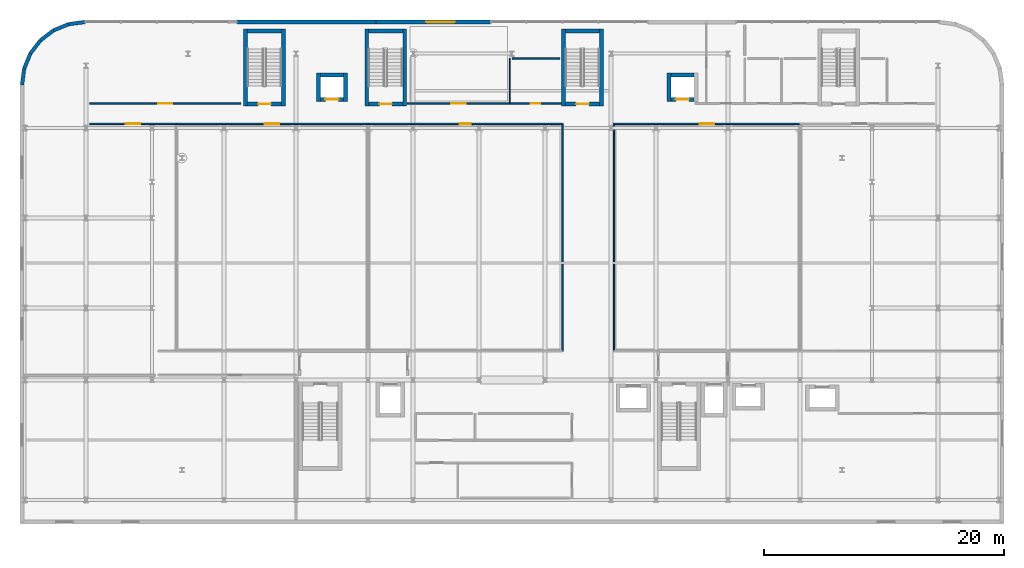
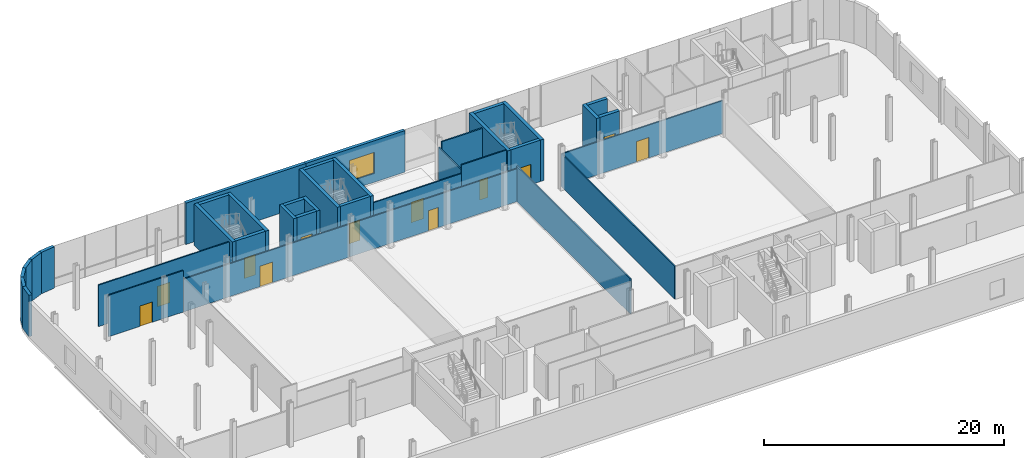
# One storey, part 18 of 25: 38 walls, 12 doors, 1 window, 13 openings.
"""IFC4 building model written with IfcOpenShell, lengths in metres."""

import ifcopenshell
import ifcopenshell.guid

model = None  # the IFC model being written
_history = None  # IfcOwnerHistory: only IFC2X3 demands one
_inside = {}  # id of a spatial element -> (the spatial element, [elements in it])
_under = {}  # id of a project, library or spatial element -> (it, [spatial elements below it])
_declared = {}  # id of a project -> (the project, [libraries it declares])
_typed = {}  # id of a type object -> (the type object, [elements of that type])
_made_of = {}  # id of a material, layer set ... -> (it, [elements and type objects made of it])


def new_model(schema):
    """Start an empty IFC model of exactly this schema.

    Asked for "IFC4X3", IfcOpenShell would pick the latest addendum, in which some entities
    have other attributes; the version numbers below select the first issue.
    IFC2X3 requires an IfcOwnerHistory on every rooted entity: one is made here for all.
    """
    global model, _history
    if schema == "IFC4X3":
        model = ifcopenshell.file(schema_version=(4, 3, 0, 0))
    else:
        model = ifcopenshell.file(schema=schema)
    _inside.clear()
    _under.clear()
    _declared.clear()
    _typed.clear()
    _made_of.clear()
    _history = None
    if model.schema == "IFC2X3":
        org = make("IfcOrganization", Name="unknown")
        user = make(
            "IfcPersonAndOrganization",
            ThePerson=make("IfcPerson", FamilyName="unknown"),
            TheOrganization=org,
        )
        app = make(
            "IfcApplication",
            ApplicationDeveloper=org,
            Version="unknown",
            ApplicationFullName="unknown",
            ApplicationIdentifier="unknown",
        )
        _history = make(
            "IfcOwnerHistory",
            OwningUser=user,
            OwningApplication=app,
            ChangeAction="ADDED",
            CreationDate=0,
        )
    return model


def make(cls, **values):
    """One entity of the class cls with the attributes given. An attribute that is None is left unset."""
    return model.create_entity(
        cls, **{name: value for name, value in values.items() if value is not None}
    )


def rooted(cls, **values):
    """An entity with a GlobalId (a new one), such as an element, a storey or a relation."""
    return make(cls, GlobalId=ifcopenshell.guid.new(), OwnerHistory=_history, **values)


def si_unit(unit_type, name, prefix=None):
    """IfcSIUnit, for example si_unit("LENGTHUNIT", "METRE", prefix="MILLI")."""
    return make("IfcSIUnit", UnitType=unit_type, Prefix=prefix, Name=name)


def assignment(units):
    """IfcUnitAssignment: the units of a project."""
    return None if units is None else make("IfcUnitAssignment", Units=units)


def point(xyz):
    """IfcCartesianPoint."""
    return None if xyz is None else make("IfcCartesianPoint", Coordinates=xyz)


def direction(xyz):
    """IfcDirection."""
    return None if xyz is None else make("IfcDirection", DirectionRatios=xyz)


def frame(location, z_axis=None, x_axis=None):
    """IfcAxis2Placement3D, a coordinate frame: its origin and axes. An axis left out is left unset."""
    return make(
        "IfcAxis2Placement3D",
        Location=point(location),
        Axis=direction(z_axis),
        RefDirection=direction(x_axis),
    )


def frame_2d(location, x_axis=None):
    """IfcAxis2Placement2D, a coordinate frame in the plane: its origin and x axis."""
    return make(
        "IfcAxis2Placement2D", Location=point(location), RefDirection=direction(x_axis)
    )


def origin():
    """The frame at (0, 0, 0) with its axes left unset."""
    return frame((0.0, 0.0, 0.0))


def place(relative_to, where):
    """IfcLocalPlacement: puts the frame where relative to a parent placement (None: the world)."""
    return make(
        "IfcLocalPlacement", PlacementRelTo=relative_to, RelativePlacement=where
    )


def context(
    kind, dimensions, precision=None, world=None, true_north=None, identifier=None
):
    """IfcGeometricRepresentationContext, for example the 3D "Model" context."""
    return make(
        "IfcGeometricRepresentationContext",
        ContextIdentifier=identifier,
        ContextType=kind,
        CoordinateSpaceDimension=dimensions,
        Precision=precision,
        WorldCoordinateSystem=world,
        TrueNorth=true_north,
    )


def subcontext(parent, identifier, kind, view, scale=None):
    """IfcGeometricRepresentationSubContext, for example "Body" below "Model"."""
    return make(
        "IfcGeometricRepresentationSubContext",
        ContextIdentifier=identifier,
        ContextType=kind,
        ParentContext=parent,
        TargetScale=scale,
        TargetView=view,
    )


def project(units=None, contexts=None):
    """IfcProject with its units and contexts."""
    return rooted(
        "IfcProject",
        Name="project",
        RepresentationContexts=contexts,
        UnitsInContext=assignment(units),
    )


def spatial(cls, under=None, at=None, **own):
    """A site, building, storey or space (cls), placed at a placement, below another one or the project."""
    s = rooted(cls, ObjectPlacement=at, **own)
    if under is not None:
        _under.setdefault(under.id(), (under, []))[1].append(s)
    return s


def profile(cls, at=None, kind="AREA", **sizes):
    """A parametric profile (cls). Its sizes go by their IFC names, for example OverallWidth=200.0."""
    return make(cls, ProfileType=kind, Position=at, **sizes)


def rectangle(**sizes):
    """IfcRectangleProfileDef."""
    return profile("IfcRectangleProfileDef", **sizes)


def extrude(swept, where, along, depth):
    """IfcExtrudedAreaSolid: the profile swept, set in the frame where, extruded along a direction by depth."""
    return make(
        "IfcExtrudedAreaSolid",
        SweptArea=swept,
        Position=where,
        ExtrudedDirection=direction(along),
        Depth=depth,
    )


def shape(context_of_items, identifier, shape_type, items):
    """IfcShapeRepresentation: the items that make up one representation, for example the "Body"."""
    return make(
        "IfcShapeRepresentation",
        ContextOfItems=context_of_items,
        RepresentationIdentifier=identifier,
        RepresentationType=shape_type,
        Items=items,
    )


def material(Name=None, Category=None):
    """IfcMaterial."""
    return make("IfcMaterial", Name=Name, Category=Category)


def layer(
    of_material, thickness, ventilated=None, Name=None, Category=None, Priority=None
):
    """IfcMaterialLayer: one layer of a wall or slab, of a material (None: an air gap)."""
    return make(
        "IfcMaterialLayer",
        Material=of_material,
        LayerThickness=thickness,
        IsVentilated=ventilated,
        Name=Name,
        Category=Category,
        Priority=Priority,
    )


def layer_set(layers, Name=None):
    """IfcMaterialLayerSet."""
    return make("IfcMaterialLayerSet", MaterialLayers=layers, LayerSetName=Name)


def made_of(thing, what):
    """Note that an element or type object is made of a material, layer set ...; save() writes the relation."""
    if what is not None:
        _made_of.setdefault(what.id(), (what, []))[1].append(thing)
    return thing


def type_object(cls, material=None, **own):
    """A type object (cls), such as IfcWallType, which elements share."""
    return made_of(rooted(cls, **own), material)


def element(
    cls,
    number,
    at=None,
    inside=None,
    cuts=None,
    type_object=None,
    material=None,
    context=None,
    identifier="Body",
    shape_type=None,
    held_by="IfcProductDefinitionShape",
    body=None,
    shapes=None,
    **own,
):
    """One element of the class cls, such as IfcWall. Its Tag is "e" and its number.

    at: its placement. inside: the storey or other place that contains it. cuts: it is an
    opening in that element (IfcRelVoidsElement). A single representation is given by context,
    identifier, shape_type and body (its items); several are given by shapes. held_by: the class
    of the entity that holds the representations. save() writes the other relations.
    """
    e = rooted(cls, Tag="e%d" % number, ObjectPlacement=at, **own)
    if body is not None:
        shapes = [shape(context, identifier, shape_type, body)]
    if shapes is not None:
        e.Representation = make(held_by, Representations=shapes)
    if inside is not None:
        _inside.setdefault(inside.id(), (inside, []))[1].append(e)
    if cuts is not None:
        rooted(
            "IfcRelVoidsElement", RelatingBuildingElement=cuts, RelatedOpeningElement=e
        )
    if type_object is not None:
        _typed.setdefault(type_object.id(), (type_object, []))[1].append(e)
    return made_of(e, material)


def fill(opening, filler):
    """IfcRelFillsElement: the door or window that sits in an opening."""
    return rooted(
        "IfcRelFillsElement",
        RelatingOpeningElement=opening,
        RelatedBuildingElement=filler,
    )


def aggregate(whole, parts):
    """IfcRelAggregates: a whole, such as a stair, and the parts it consists of."""
    return rooted("IfcRelAggregates", RelatingObject=whole, RelatedObjects=parts)


def save(model, path):
    """Write the relations noted so far, then the file.

    IfcRelAggregates (storeys below a building ...), IfcRelContainedInSpatialStructure (elements
    in a storey), IfcRelDefinesByType, IfcRelAssociatesMaterial and IfcRelDeclares: one each for
    every whole, place, type object, material and project.
    """
    for whole, parts in _under.values():
        aggregate(whole, parts)
    for where, things in _inside.values():
        rooted(
            "IfcRelContainedInSpatialStructure",
            RelatedElements=things,
            RelatingStructure=where,
        )
    for kind, things in _typed.values():
        rooted("IfcRelDefinesByType", RelatedObjects=things, RelatingType=kind)
    for what, things in _made_of.values():
        rooted("IfcRelAssociatesMaterial", RelatedObjects=things, RelatingMaterial=what)
    for by, libraries in _declared.values():
        rooted("IfcRelDeclares", RelatingContext=by, RelatedDefinitions=libraries)
    model.write(path)


model = new_model("IFC4")

# Units and contexts
model_context = context("Model", 3, precision=1e-05, world=origin(), true_north=direction((0.0, 1.0)))
body_context = subcontext(model_context, "Body", "Model", "MODEL_VIEW")
ifc_project = project(units=[si_unit("LENGTHUNIT", "METRE"), si_unit("AREAUNIT", "SQUARE_METRE"), si_unit("VOLUMEUNIT", "CUBIC_METRE"), si_unit("PLANEANGLEUNIT", "RADIAN"), si_unit("MASSUNIT", "GRAM", prefix="KILO")], contexts=[model_context])

# Site, building, storey
site_placement = place(None, origin())
site = spatial("IfcSite", under=ifc_project, at=site_placement, CompositionType="ELEMENT")
building_placement = place(site_placement, origin())
building = spatial("IfcBuilding", under=site, at=building_placement, Name="Brevholm Reach", CompositionType="ELEMENT")
storey_placement = place(building_placement, frame((0.0, 0.0, 13.5)))
storey = spatial("IfcBuildingStorey", under=building, at=storey_placement, Name="L03", CompositionType="ELEMENT", Elevation=13.5)

# Walls
ifc_material_1 = material(Name="Concrete C60/75", Category="concrete")
ifc_layer_1 = layer(ifc_material_1, 0.320068359375)
ifc_layer_set_1 = layer_set([ifc_layer_1], Name="Concrete C60/75")
wall_type_1 = type_object("IfcWallType", Name="WAL-COR-320", PredefinedType="SHEAR", material=ifc_layer_set_1)
for number, where, z_axis, x_axis, name in (
    (1, (7.7900390625, 32.830078125, 0.0), (0.0, 0.0, 1.0), (0.0, 1.0, 0.0), "L03 Escape Stair ST-S1 Core Wall W"),
    (2, (10.9599609375, 32.830078125, 0.0), (0.0, 0.0, 1.0), (0.0, 1.0, 0.0), "L03 Escape Stair ST-S1 Core Wall E"),
):
    element("IfcWall", number, at=place(storey_placement, frame(where, z_axis=z_axis, x_axis=x_axis)), inside=storey, type_object=wall_type_1, Name=name, PredefinedType="SHEAR", context=body_context, shape_type="SweptSolid", body=[
        extrude(rectangle(XDim=6.419921875, YDim=0.320068359375, at=frame_2d((3.2099609375, 0.0))), origin(), (0.0, 0.0, 1.0), 4.219970703125),
    ])

# Wall, opening, door
wall_1_placement = place(storey_placement, frame((7.949951171875, 32.989990234375, 0.0), z_axis=(0.0, 0.0, 1.0), x_axis=(1.0, 0.0, 0.0)))
wall_1 = element("IfcWall", 3, at=wall_1_placement, inside=storey, type_object=wall_type_1, Name="L03 Escape Stair ST-S1 Core Wall S", PredefinedType="SHEAR", context=body_context, shape_type="SweptSolid", body=[
    extrude(rectangle(XDim=2.85009765625, YDim=0.320068359375, at=frame_2d((1.425048828125, 0.0))), origin(), (0.0, 0.0, 1.0), 4.219970703125),
])
opening_1_placement = place(wall_1_placement, frame((0.89990234375, 0.0, 0.0)))
opening_1 = element("IfcOpeningElement", 4, at=opening_1_placement, cuts=wall_1, Name="Opening SD-ST-S1", PredefinedType="OPENING", context=body_context, shape_type="SweptSolid", body=[
    extrude(rectangle(XDim=1.050048828125, YDim=2.06005859375, at=frame_2d((0.52490234375, 1.030029296875))), frame((0.0, 0.169921875, 0.0), z_axis=(0.0, -1.0, 0.0), x_axis=(1.0, 0.0, 0.0)), (0.0, 0.0, 1.0), 0.340087890625),
])
ifc_material_2 = material(Name="Hardwood-Lipped Steel-Core Fire and Smoke Door", Category="steel")
door_type_1 = type_object("IfcDoorType", Name="DOR-INT-FD60S", OperationType="NOTDEFINED", PredefinedType="DOOR", material=ifc_material_2)
door_1_placement = place(opening_1_placement, origin())
door_1 = element("IfcDoor", 5, at=door_1_placement, inside=storey, type_object=door_type_1, Name="L03 Protected Stair ST-S1 Lobby Door", OperationType="SINGLE_SWING_RIGHT", OverallHeight=2.06005859375, OverallWidth=1.050048828125, PredefinedType="DOOR", context=body_context, shape_type="SweptSolid", body=[
    extrude(rectangle(XDim=1.050048828125, YDim=2.06005859375, at=frame_2d((0.52490234375, 1.030029296875))), frame((0.0, 0.02490234375, 0.0), z_axis=(0.0, -1.0, 0.0), x_axis=(1.0, 0.0, 0.0)), (0.0, 0.0, 1.0), 0.050048828125),
])
fill(opening_1, door_1)

# Walls
wall_2_placement = place(storey_placement, frame((10.800048828125, 39.090087890625, 0.0), z_axis=(0.0, 0.0, 1.0), x_axis=(-1.0, 0.0, 0.0)))
element("IfcWall", 6, at=wall_2_placement, inside=storey, type_object=wall_type_1, Name="L03 Escape Stair ST-S1 Core Wall N", PredefinedType="SHEAR", context=body_context, shape_type="SweptSolid", body=[
    extrude(rectangle(XDim=2.85009765625, YDim=0.320068359375, at=frame_2d((1.425048828125, 0.0))), origin(), (0.0, 0.0, 1.0), 4.219970703125),
])
for number, where, z_axis, x_axis, name in (
    (7, (17.889892578125, 32.830078125, 0.0), (0.0, 0.0, 1.0), (0.0, 1.0, 0.0), "L03 Escape Stair ST-S2 Core Wall W"),
    (8, (21.06005859375, 32.830078125, 0.0), (0.0, 0.0, 1.0), (0.0, 1.0, 0.0), "L03 Escape Stair ST-S2 Core Wall E"),
):
    element("IfcWall", number, at=place(storey_placement, frame(where, z_axis=z_axis, x_axis=x_axis)), inside=storey, type_object=wall_type_1, Name=name, PredefinedType="SHEAR", context=body_context, shape_type="SweptSolid", body=[
        extrude(rectangle(XDim=6.419921875, YDim=0.320068359375, at=frame_2d((3.2099609375, 0.0))), origin(), (0.0, 0.0, 1.0), 4.219970703125),
    ])

# Wall, opening, door
wall_3_placement = place(storey_placement, frame((18.050048828125, 32.989990234375, 0.0), z_axis=(0.0, 0.0, 1.0), x_axis=(1.0, 0.0, 0.0)))
wall_3 = element("IfcWall", 9, at=wall_3_placement, inside=storey, type_object=wall_type_1, Name="L03 Escape Stair ST-S2 Core Wall S", PredefinedType="SHEAR", context=body_context, shape_type="SweptSolid", body=[
    extrude(rectangle(XDim=2.849853515625, YDim=0.320068359375, at=frame_2d((1.4248046875, 0.0))), origin(), (0.0, 0.0, 1.0), 4.219970703125),
])
opening_2_placement = place(wall_3_placement, frame((0.89990234375, 0.0, 0.0)))
opening_2 = element("IfcOpeningElement", 10, at=opening_2_placement, cuts=wall_3, Name="Opening SD-ST-S2", PredefinedType="OPENING", context=body_context, shape_type="SweptSolid", body=[
    extrude(rectangle(XDim=1.050048828125, YDim=2.06005859375, at=frame_2d((0.52490234375, 1.030029296875))), frame((0.0, 0.169921875, 0.0), z_axis=(0.0, -1.0, 0.0), x_axis=(1.0, 0.0, 0.0)), (0.0, 0.0, 1.0), 0.340087890625),
])
door_2_placement = place(opening_2_placement, origin())
door_2 = element("IfcDoor", 11, at=door_2_placement, inside=storey, type_object=door_type_1, Name="L03 Protected Stair ST-S2 Lobby Door", OperationType="SINGLE_SWING_RIGHT", OverallHeight=2.06005859375, OverallWidth=1.050048828125, PredefinedType="DOOR", context=body_context, shape_type="SweptSolid", body=[
    extrude(rectangle(XDim=1.050048828125, YDim=2.06005859375, at=frame_2d((0.52490234375, 1.030029296875))), frame((0.0, 0.02490234375, 0.0), z_axis=(0.0, -1.0, 0.0), x_axis=(1.0, 0.0, 0.0)), (0.0, 0.0, 1.0), 0.050048828125),
])
fill(opening_2, door_2)

# Walls
wall_4_placement = place(storey_placement, frame((20.89990234375, 39.090087890625, 0.0), z_axis=(0.0, 0.0, 1.0), x_axis=(-1.0, 0.0, 0.0)))
element("IfcWall", 12, at=wall_4_placement, inside=storey, type_object=wall_type_1, Name="L03 Escape Stair ST-S2 Core Wall N", PredefinedType="SHEAR", context=body_context, shape_type="SweptSolid", body=[
    extrude(rectangle(XDim=2.849853515625, YDim=0.320068359375, at=frame_2d((1.4248046875, 0.0))), origin(), (0.0, 0.0, 1.0), 4.219970703125),
])
for number, where, z_axis, x_axis, name in (
    (13, (34.2900390625, 32.830078125, 0.0), (0.0, 0.0, 1.0), (0.0, 1.0, 0.0), "L03 Escape Stair ST-S3 Core Wall W"),
    (14, (37.4599609375, 32.830078125, 0.0), (0.0, 0.0, 1.0), (0.0, 1.0, 0.0), "L03 Escape Stair ST-S3 Core Wall E"),
):
    element("IfcWall", number, at=place(storey_placement, frame(where, z_axis=z_axis, x_axis=x_axis)), inside=storey, type_object=wall_type_1, Name=name, PredefinedType="SHEAR", context=body_context, shape_type="SweptSolid", body=[
        extrude(rectangle(XDim=6.419921875, YDim=0.320068359375, at=frame_2d((3.2099609375, 0.0))), origin(), (0.0, 0.0, 1.0), 4.219970703125),
    ])

# Wall, opening, door
wall_5_placement = place(storey_placement, frame((34.449951171875, 32.989990234375, 0.0), z_axis=(0.0, 0.0, 1.0), x_axis=(1.0, 0.0, 0.0)))
wall_5 = element("IfcWall", 15, at=wall_5_placement, inside=storey, type_object=wall_type_1, Name="L03 Escape Stair ST-S3 Core Wall S", PredefinedType="SHEAR", context=body_context, shape_type="SweptSolid", body=[
    extrude(rectangle(XDim=2.85009765625, YDim=0.320068359375, at=frame_2d((1.425048828125, 0.0))), origin(), (0.0, 0.0, 1.0), 4.219970703125),
])
opening_3_placement = place(wall_5_placement, frame((0.89990234375, 0.0, 0.0)))
opening_3 = element("IfcOpeningElement", 16, at=opening_3_placement, cuts=wall_5, Name="Opening SD-ST-S3", PredefinedType="OPENING", context=body_context, shape_type="SweptSolid", body=[
    extrude(rectangle(XDim=1.050048828125, YDim=2.06005859375, at=frame_2d((0.52490234375, 1.030029296875))), frame((0.0, 0.169921875, 0.0), z_axis=(0.0, -1.0, 0.0), x_axis=(1.0, 0.0, 0.0)), (0.0, 0.0, 1.0), 0.340087890625),
])
door_3_placement = place(opening_3_placement, origin())
door_3 = element("IfcDoor", 17, at=door_3_placement, inside=storey, type_object=door_type_1, Name="L03 Protected Stair ST-S3 Lobby Door", OperationType="SINGLE_SWING_RIGHT", OverallHeight=2.06005859375, OverallWidth=1.050048828125, PredefinedType="DOOR", context=body_context, shape_type="SweptSolid", body=[
    extrude(rectangle(XDim=1.050048828125, YDim=2.06005859375, at=frame_2d((0.52490234375, 1.030029296875))), frame((0.0, 0.02490234375, 0.0), z_axis=(0.0, -1.0, 0.0), x_axis=(1.0, 0.0, 0.0)), (0.0, 0.0, 1.0), 0.050048828125),
])
fill(opening_3, door_3)

# Walls
wall_6_placement = place(storey_placement, frame((37.300048828125, 39.090087890625, 0.0), z_axis=(0.0, 0.0, 1.0), x_axis=(-1.0, 0.0, 0.0)))
element("IfcWall", 18, at=wall_6_placement, inside=storey, type_object=wall_type_1, Name="L03 Escape Stair ST-S3 Core Wall N", PredefinedType="SHEAR", context=body_context, shape_type="SweptSolid", body=[
    extrude(rectangle(XDim=2.85009765625, YDim=0.320068359375, at=frame_2d((1.425048828125, 0.0))), origin(), (0.0, 0.0, 1.0), 4.219970703125),
])
for number, where, z_axis, x_axis, name in (
    (19, (13.8798828125, 33.219970703125, 0.0), (0.0, 0.0, 1.0), (0.0, 1.0, 0.0), "L03 Lift SL-1 Shaft Wall W"),
    (20, (16.1201171875, 33.219970703125, 0.0), (0.0, 0.0, 1.0), (0.0, 1.0, 0.0), "L03 Lift SL-1 Shaft Wall E"),
):
    element("IfcWall", number, at=place(storey_placement, frame(where, z_axis=z_axis, x_axis=x_axis)), inside=storey, type_object=wall_type_1, Name=name, PredefinedType="SHEAR", context=body_context, shape_type="SweptSolid", body=[
        extrude(rectangle(XDim=2.360107421875, YDim=0.320068359375, at=frame_2d((1.18017578125, 0.0))), origin(), (0.0, 0.0, 1.0), 4.219970703125),
    ])

# Wall, opening, door
wall_7_placement = place(storey_placement, frame((14.0400390625, 33.3798828125, 0.0), z_axis=(0.0, 0.0, 1.0), x_axis=(1.0, 0.0, 0.0)))
wall_7 = element("IfcWall", 21, at=wall_7_placement, inside=storey, type_object=wall_type_1, Name="L03 Lift SL-1 Shaft Wall S", PredefinedType="SHEAR", context=body_context, shape_type="SweptSolid", body=[
    extrude(rectangle(XDim=1.919921875, YDim=0.320068359375, at=frame_2d((0.9599609375, 0.0))), origin(), (0.0, 0.0, 1.0), 4.219970703125),
])
opening_4_placement = place(wall_7_placement, frame((0.409912109375, 0.0, 0.0)))
opening_4 = element("IfcOpeningElement", 22, at=opening_4_placement, cuts=wall_7, Name="Opening LD-SL-1", PredefinedType="OPENING", context=body_context, shape_type="SweptSolid", body=[
    extrude(rectangle(XDim=1.10009765625, YDim=2.06005859375, at=frame_2d((0.550048828125, 1.030029296875))), frame((0.0, 0.169921875, 0.0), z_axis=(0.0, -1.0, 0.0), x_axis=(1.0, 0.0, 0.0)), (0.0, 0.0, 1.0), 0.340087890625),
])
ifc_material_3 = material(Name="Brushed Stainless Steel Fire-Rated Sliding Lift Door", Category="steel")
door_type_2 = type_object("IfcDoorType", Name="DOR-LFT-1100", OperationType="NOTDEFINED", PredefinedType="DOOR", material=ifc_material_3)
door_4_placement = place(opening_4_placement, origin())
door_4 = element("IfcDoor", 23, at=door_4_placement, inside=storey, type_object=door_type_2, Name="L03 Lift SL-1 Sliding Landing Door", OperationType="SLIDING_TO_LEFT", OverallHeight=2.06005859375, OverallWidth=1.10009765625, PredefinedType="DOOR", context=body_context, shape_type="SweptSolid", body=[
    extrude(rectangle(XDim=1.10009765625, YDim=2.06005859375, at=frame_2d((0.550048828125, 1.030029296875))), frame((0.0, 0.02490234375, 0.0), z_axis=(0.0, -1.0, 0.0), x_axis=(1.0, 0.0, 0.0)), (0.0, 0.0, 1.0), 0.050048828125),
])
fill(opening_4, door_4)

# Walls
wall_8_placement = place(storey_placement, frame((14.0400390625, 35.419921875, 0.0), z_axis=(0.0, 0.0, 1.0), x_axis=(1.0, 0.0, 0.0)))
element("IfcWall", 24, at=wall_8_placement, inside=storey, type_object=wall_type_1, Name="L03 Lift SL-1 Shaft Wall N", PredefinedType="SHEAR", context=body_context, shape_type="SweptSolid", body=[
    extrude(rectangle(XDim=1.919921875, YDim=0.320068359375, at=frame_2d((0.9599609375, 0.0))), origin(), (0.0, 0.0, 1.0), 4.219970703125),
])
wall_9_placement = place(storey_placement, frame((43.080078125, 33.219970703125, 0.0), z_axis=(0.0, 0.0, 1.0), x_axis=(0.0, 1.0, 0.0)))
element("IfcWall", 25, at=wall_9_placement, inside=storey, type_object=wall_type_1, Name="L03 Lift SL-2 Shaft Wall W", PredefinedType="SHEAR", context=body_context, shape_type="SweptSolid", body=[
    extrude(rectangle(XDim=2.360107421875, YDim=0.320068359375, at=frame_2d((1.18017578125, 0.0))), origin(), (0.0, 0.0, 1.0), 4.219970703125),
])

# Wall, opening, door
wall_10_placement = place(storey_placement, frame((43.239990234375, 33.3798828125, 0.0), z_axis=(0.0, 0.0, 1.0), x_axis=(1.0, 0.0, 0.0)))
wall_10 = element("IfcWall", 26, at=wall_10_placement, inside=storey, type_object=wall_type_1, Name="L03 Lift SL-2 Shaft Wall S", PredefinedType="SHEAR", context=body_context, shape_type="SweptSolid", body=[
    extrude(rectangle(XDim=1.919921875, YDim=0.320068359375, at=frame_2d((0.9599609375, 0.0))), origin(), (0.0, 0.0, 1.0), 4.219970703125),
])
opening_5_placement = place(wall_10_placement, frame((0.409912109375, 0.0, 0.0)))
opening_5 = element("IfcOpeningElement", 27, at=opening_5_placement, cuts=wall_10, Name="Opening LD-SL-2", PredefinedType="OPENING", context=body_context, shape_type="SweptSolid", body=[
    extrude(rectangle(XDim=1.10009765625, YDim=2.06005859375, at=frame_2d((0.550048828125, 1.030029296875))), frame((0.0, 0.169921875, 0.0), z_axis=(0.0, -1.0, 0.0), x_axis=(1.0, 0.0, 0.0)), (0.0, 0.0, 1.0), 0.340087890625),
])
door_5_placement = place(opening_5_placement, origin())
door_5 = element("IfcDoor", 28, at=door_5_placement, inside=storey, type_object=door_type_2, Name="L03 Lift SL-2 Sliding Landing Door", OperationType="SLIDING_TO_RIGHT", OverallHeight=2.06005859375, OverallWidth=1.10009765625, PredefinedType="DOOR", context=body_context, shape_type="SweptSolid", body=[
    extrude(rectangle(XDim=1.10009765625, YDim=2.06005859375, at=frame_2d((0.550048828125, 1.030029296875))), frame((0.0, 0.02490234375, 0.0), z_axis=(0.0, -1.0, 0.0), x_axis=(1.0, 0.0, 0.0)), (0.0, 0.0, 1.0), 0.050048828125),
])
fill(opening_5, door_5)

# Walls
wall_11_placement = place(storey_placement, frame((43.239990234375, 35.419921875, 0.0), z_axis=(0.0, 0.0, 1.0), x_axis=(1.0, 0.0, 0.0)))
element("IfcWall", 29, at=wall_11_placement, inside=storey, type_object=wall_type_1, Name="L03 Lift SL-2 Shaft Wall N", PredefinedType="SHEAR", context=body_context, shape_type="SweptSolid", body=[
    extrude(rectangle(XDim=1.919921875, YDim=0.320068359375, at=frame_2d((0.9599609375, 0.0))), origin(), (0.0, 0.0, 1.0), 4.219970703125),
])
ifc_material_4 = material(Name="Concrete C40/50", Category="concrete")
ifc_layer_2 = layer(ifc_material_4, 0.300048828125)
ifc_layer_set_2 = layer_set([ifc_layer_2], Name="Concrete C40/50")
wall_type_2 = type_object("IfcWallType", Name="WAL-EXT-300", PredefinedType="STANDARD", material=ifc_layer_set_2)
wall_12_placement = place(storey_placement, frame((-10.830078125, 34.60009765625, 0.0), z_axis=(0.0, 0.0, 1.0), x_axis=(0.13054703207, 0.991442117533, 0.0)))
element("IfcWall", 30, at=wall_12_placement, inside=storey, type_object=wall_type_2, Name="L03 Facade Wall WAL-L03-NWP-1", PredefinedType="STANDARD", context=body_context, shape_type="SweptSolid", body=[
    extrude(rectangle(XDim=1.365234375, YDim=0.300048828125, at=frame_2d((0.6826171875, 0.0))), origin(), (0.0, 0.0, 1.0), 4.219970703125),
])
wall_13_placement = place(storey_placement, frame((-10.65185546875, 35.95361328125, 0.0), z_axis=(0.0, 0.0, 1.0), x_axis=(0.382646577594, 0.923894797396, 0.0)))
element("IfcWall", 31, at=wall_13_placement, inside=storey, type_object=wall_type_2, Name="L03 Facade Wall WAL-L03-NWP-2", PredefinedType="STANDARD", context=body_context, shape_type="SweptSolid", body=[
    extrude(rectangle(XDim=1.365478515625, YDim=0.300048828125, at=frame_2d((0.6826171875, 0.0))), origin(), (0.0, 0.0, 1.0), 4.219970703125),
])
for number, where, z_axis, x_axis, name in (
    (32, (-10.12939453125, 37.215087890625, 0.0), (0.0, 0.0, 1.0), (0.6088894473, 0.793255091989, 0.0), "L03 Facade Wall WAL-L03-NWP-3"),
    (33, (-9.298095703125, 38.298095703125, 0.0), (0.0, 0.0, 1.0), (0.793255091989, 0.6088894473, 0.0), "L03 Facade Wall WAL-L03-NWP-4"),
):
    element("IfcWall", number, at=place(storey_placement, frame(where, z_axis=z_axis, x_axis=x_axis)), inside=storey, type_object=wall_type_2, Name=name, PredefinedType="STANDARD", context=body_context, shape_type="SweptSolid", body=[
        extrude(rectangle(XDim=1.365234375, YDim=0.300048828125, at=frame_2d((0.6826171875, 0.0))), origin(), (0.0, 0.0, 1.0), 4.219970703125),
    ])
wall_14_placement = place(storey_placement, frame((-8.215087890625, 39.12939453125, 0.0), z_axis=(0.0, 0.0, 1.0), x_axis=(0.923894797396, 0.382646577594, 0.0)))
element("IfcWall", 34, at=wall_14_placement, inside=storey, type_object=wall_type_2, Name="L03 Facade Wall WAL-L03-NWP-5", PredefinedType="STANDARD", context=body_context, shape_type="SweptSolid", body=[
    extrude(rectangle(XDim=1.365478515625, YDim=0.300048828125, at=frame_2d((0.6826171875, 0.0))), origin(), (0.0, 0.0, 1.0), 4.219970703125),
])
wall_15_placement = place(storey_placement, frame((-6.95361328125, 39.65185546875, 0.0), z_axis=(0.0, 0.0, 1.0), x_axis=(0.991442117533, 0.13054703207, 0.0)))
element("IfcWall", 35, at=wall_15_placement, inside=storey, type_object=wall_type_2, Name="L03 Facade Wall WAL-L03-NWP-6", PredefinedType="STANDARD", context=body_context, shape_type="SweptSolid", body=[
    extrude(rectangle(XDim=1.365234375, YDim=0.300048828125, at=frame_2d((0.6826171875, 0.0))), origin(), (0.0, 0.0, 1.0), 4.219970703125),
])
wall_16_placement = place(storey_placement, frame((7.10009765625, 39.830078125, 0.0), z_axis=(0.0, 0.0, 1.0), x_axis=(1.0, 0.0, 0.0)))
element("IfcWall", 36, at=wall_16_placement, inside=storey, type_object=wall_type_2, Name="L03 Facade Wall WAL-L03-NPW", PredefinedType="STANDARD", context=body_context, shape_type="SweptSolid", body=[
    extrude(rectangle(XDim=11.5498046875, YDim=0.300048828125, at=frame_2d((5.77490234375, 0.0))), origin(), (0.0, 0.0, 1.0), 4.219970703125),
])

# Wall, opening, window
wall_17_placement = place(storey_placement, frame((18.64990234375, 39.830078125, 0.0), z_axis=(0.0, 0.0, 1.0), x_axis=(1.0, 0.0, 0.0)))
wall_17 = element("IfcWall", 37, at=wall_17_placement, inside=storey, type_object=wall_type_2, Name="L03 Facade Wall WAL-L03-N-ENT", PredefinedType="STANDARD", context=body_context, shape_type="SweptSolid", body=[
    extrude(rectangle(XDim=9.550048828125, YDim=0.300048828125, at=frame_2d((4.77490234375, 0.0))), origin(), (0.0, 0.0, 1.0), 4.219970703125),
])
opening_6_placement = place(wall_17_placement, frame((4.199951171875, 0.0, 0.89990234375)))
opening_6 = element("IfcOpeningElement", 38, at=opening_6_placement, cuts=wall_17, Name="Opening WN-03", PredefinedType="OPENING", context=body_context, shape_type="SweptSolid", body=[
    extrude(rectangle(XDim=2.39990234375, YDim=2.14990234375, at=frame_2d((1.199951171875, 1.074951171875))), frame((0.0, 0.159912109375, 0.0), z_axis=(0.0, -1.0, 0.0), x_axis=(1.0, 0.0, 0.0)), (0.0, 0.0, 1.0), 0.320068359375),
])
ifc_material_5 = material(Name="Dark Anodised Aluminium and Solar-Control IGU Glass", Category="aluminium")
window_type = type_object("IfcWindowType", Name="WIN-SCH-2400", PartitioningType="SINGLE_PANEL", PredefinedType="WINDOW", material=ifc_material_5)
window_placement = place(opening_6_placement, origin())
window = element("IfcWindow", 39, at=window_placement, inside=storey, type_object=window_type, Name="L03 Window WIN-L03-NC-1", OverallHeight=2.14990234375, OverallWidth=2.39990234375, PartitioningType="SINGLE_PANEL", PredefinedType="WINDOW", context=body_context, shape_type="SweptSolid", body=[
    extrude(rectangle(XDim=2.39990234375, YDim=2.14990234375, at=frame_2d((1.199951171875, 1.074951171875))), frame((0.0, 0.030029296875, 0.0), z_axis=(0.0, -1.0, 0.0), x_axis=(1.0, 0.0, 0.0)), (0.0, 0.0, 1.0), 0.06005859375),
])
fill(opening_6, window)

# Wall
ifc_material_6 = material(Name="Moisture-Resistant Acoustic Gypsum Stud Partition 100 mm", Category="gypsum")
ifc_layer_3 = layer(ifc_material_6, 0.10009765625)
ifc_layer_set_3 = layer_set([ifc_layer_3], Name="Moisture-Resistant Acoustic Gypsum Stud Partition 100 mm")
wall_type_3 = type_object("IfcWallType", Name="WAL-PRT-100", PredefinedType="PARTITIONING", material=ifc_layer_set_3)
wall_18_placement = place(storey_placement, frame((29.800048828125, 33.053955078125, 0.0), z_axis=(0.0, 0.0, 1.0), x_axis=(0.0, 1.0, 0.0)))
element("IfcWall", 40, at=wall_18_placement, inside=storey, type_object=wall_type_3, Name="L03 Internal Partition 039", PredefinedType="PARTITIONING", context=body_context, shape_type="SweptSolid", body=[
    extrude(rectangle(XDim=3.75732421875, YDim=0.10009765625, at=frame_2d((1.878662109375, 0.0))), origin(), (0.0, 0.0, 1.0), 3.738037109375),
])

# Wall, opening, door
ifc_material_7 = material(Name="Acoustic Fire-Rated Classroom Gypsum Partition 120 mm", Category="gypsum")
ifc_layer_4 = layer(ifc_material_7, 0.1201171875)
ifc_layer_set_4 = layer_set([ifc_layer_4], Name="Acoustic Fire-Rated Classroom Gypsum Partition 120 mm")
wall_type_4 = type_object("IfcWallType", Name="WAL-PRT-120", PredefinedType="PARTITIONING", material=ifc_layer_set_4)
wall_19_placement = place(storey_placement, frame((21.288818359375, 33.050048828125, 0.0), z_axis=(0.0, 0.0, 1.0), x_axis=(1.0, 0.0, 0.0)))
wall_19 = element("IfcWall", 41, at=wall_19_placement, inside=storey, type_object=wall_type_4, Name="L03 Internal Partition 016", PredefinedType="PARTITIONING", context=body_context, shape_type="SweptSolid", body=[
    extrude(rectangle(XDim=8.5224609375, YDim=0.1201171875, at=frame_2d((4.26123046875, 0.0))), origin(), (0.0, 0.0, 1.0), 3.343994140625),
])
opening_7_placement = place(wall_19_placement, frame((3.661376953125, 0.0, 0.0)))
opening_7 = element("IfcOpeningElement", 42, at=opening_7_placement, cuts=wall_19, Name="Opening ID-SC", PredefinedType="OPENING", context=body_context, shape_type="SweptSolid", body=[
    extrude(rectangle(XDim=1.199951171875, YDim=2.080078125, at=frame_2d((0.60009765625, 1.0400390625))), frame((0.0, 0.070068359375, 0.0), z_axis=(0.0, -1.0, 0.0), x_axis=(1.0, 0.0, 0.0)), (0.0, 0.0, 1.0), 0.14013671875),
])
ifc_material_8 = material(Name="Acoustic European Oak Classroom Vision-Panel Fire Door", Category="timber")
door_type_3 = type_object("IfcDoorType", Name="DOR-SCH-1200", OperationType="NOTDEFINED", PredefinedType="DOOR", material=ifc_material_8)
door_6_placement = place(opening_7_placement, origin())
door_6 = element("IfcDoor", 43, at=door_6_placement, inside=storey, type_object=door_type_3, Name="L03 Internal Door 009", OperationType="SINGLE_SWING_LEFT", OverallHeight=2.080078125, OverallWidth=1.199951171875, PredefinedType="DOOR", context=body_context, shape_type="SweptSolid", body=[
    extrude(rectangle(XDim=1.199951171875, YDim=2.080078125, at=frame_2d((0.60009765625, 1.0400390625))), frame((0.0, 0.02490234375, 0.0), z_axis=(0.0, -1.0, 0.0), x_axis=(1.0, 0.0, 0.0)), (0.0, 0.0, 1.0), 0.050048828125),
])
fill(opening_7, door_6)

wall_20_placement = place(storey_placement, frame((29.792724609375, 33.050048828125, 0.0), z_axis=(0.0, 0.0, 1.0), x_axis=(1.0, 0.0, 0.0)))
wall_20 = element("IfcWall", 44, at=wall_20_placement, inside=storey, type_object=wall_type_4, Name="L03 Internal Partition 017", PredefinedType="PARTITIONING", context=body_context, shape_type="SweptSolid", body=[
    extrude(rectangle(XDim=4.327392578125, YDim=0.1201171875, at=frame_2d((2.16357421875, 0.0))), origin(), (0.0, 0.0, 1.0), 4.219970703125),
])
opening_8_placement = place(wall_20_placement, frame((1.753662109375, 0.0, 0.0)))
opening_8 = element("IfcOpeningElement", 45, at=opening_8_placement, cuts=wall_20, Name="Opening ID-02", PredefinedType="OPENING", context=body_context, shape_type="SweptSolid", body=[
    extrude(rectangle(XDim=0.820068359375, YDim=2.02001953125, at=frame_2d((0.41015625, 1.010009765625))), frame((0.0, 0.070068359375, 0.0), z_axis=(0.0, -1.0, 0.0), x_axis=(1.0, 0.0, 0.0)), (0.0, 0.0, 1.0), 0.14013671875),
])
ifc_material_9 = material(Name="Moisture-Resistant Painted Timber Fire-Rated Riser and Service Door", Category="wood")
door_type_4 = type_object("IfcDoorType", Name="DOR-SRV-820", OperationType="NOTDEFINED", PredefinedType="DOOR", material=ifc_material_9)
door_7_placement = place(opening_8_placement, origin())
door_7 = element("IfcDoor", 46, at=door_7_placement, inside=storey, type_object=door_type_4, Name="L03 Internal Door 010", OperationType="SINGLE_SWING_RIGHT", OverallHeight=2.02001953125, OverallWidth=0.820068359375, PredefinedType="DOOR", context=body_context, shape_type="SweptSolid", body=[
    extrude(rectangle(XDim=0.820068359375, YDim=2.02001953125, at=frame_2d((0.41015625, 1.010009765625))), frame((0.0, 0.02490234375, 0.0), z_axis=(0.0, -1.0, 0.0), x_axis=(1.0, 0.0, 0.0)), (0.0, 0.0, 1.0), 0.050048828125),
])
fill(opening_8, door_7)

wall_21_placement = place(storey_placement, frame((-5.199951171875, 31.35009765625, 0.0), z_axis=(0.0, 0.0, 1.0), x_axis=(1.0, 0.0, 0.0)))
wall_21 = element("IfcWall", 47, at=wall_21_placement, inside=storey, type_object=wall_type_4, Name="L03 Internal Partition 024", PredefinedType="PARTITIONING", context=body_context, shape_type="SweptSolid", body=[
    extrude(rectangle(XDim=7.211181640625, YDim=0.1201171875, at=frame_2d((3.60546875, 0.0))), origin(), (0.0, 0.0, 1.0), 4.219970703125),
])
opening_9_placement = place(wall_21_placement, frame((3.005615234375, 0.0, 0.0)))
opening_9 = element("IfcOpeningElement", 48, at=opening_9_placement, cuts=wall_21, Name="Opening ID-SC", PredefinedType="OPENING", context=body_context, shape_type="SweptSolid", body=[
    extrude(rectangle(XDim=1.199951171875, YDim=2.080078125, at=frame_2d((0.60009765625, 1.0400390625))), frame((0.0, 0.070068359375, 0.0), z_axis=(0.0, -1.0, 0.0), x_axis=(1.0, 0.0, 0.0)), (0.0, 0.0, 1.0), 0.14013671875),
])
door_8_placement = place(opening_9_placement, origin())
door_8 = element("IfcDoor", 49, at=door_8_placement, inside=storey, type_object=door_type_3, Name="L03 Internal Door 016", OperationType="SINGLE_SWING_RIGHT", OverallHeight=2.080078125, OverallWidth=1.199951171875, PredefinedType="DOOR", context=body_context, shape_type="SweptSolid", body=[
    extrude(rectangle(XDim=1.199951171875, YDim=2.080078125, at=frame_2d((0.60009765625, 1.0400390625))), frame((0.0, 0.02490234375, 0.0), z_axis=(0.0, -1.0, 0.0), x_axis=(1.0, 0.0, 0.0)), (0.0, 0.0, 1.0), 0.050048828125),
])
fill(opening_9, door_8)

wall_22_placement = place(storey_placement, frame((1.99267578125, 31.35009765625, 0.0), z_axis=(0.0, 0.0, 1.0), x_axis=(1.0, 0.0, 0.0)))
wall_22 = element("IfcWall", 50, at=wall_22_placement, inside=storey, type_object=wall_type_4, Name="L03 Internal Partition 025", PredefinedType="PARTITIONING", context=body_context, shape_type="SweptSolid", body=[
    extrude(rectangle(XDim=16.0185546875, YDim=0.1201171875, at=frame_2d((8.00927734375, 0.0))), origin(), (0.0, 0.0, 1.0), 3.343994140625),
])
opening_10_placement = place(wall_22_placement, frame((7.4091796875, 0.0, 0.0)))
opening_10 = element("IfcOpeningElement", 51, at=opening_10_placement, cuts=wall_22, Name="Opening ID-SC", PredefinedType="OPENING", context=body_context, shape_type="SweptSolid", body=[
    extrude(rectangle(XDim=1.199951171875, YDim=2.080078125, at=frame_2d((0.60009765625, 1.0400390625))), frame((0.0, 0.070068359375, 0.0), z_axis=(0.0, -1.0, 0.0), x_axis=(1.0, 0.0, 0.0)), (0.0, 0.0, 1.0), 0.14013671875),
])
door_9_placement = place(opening_10_placement, origin())
door_9 = element("IfcDoor", 52, at=door_9_placement, inside=storey, type_object=door_type_3, Name="L03 Internal Door 017", OperationType="SINGLE_SWING_LEFT", OverallHeight=2.080078125, OverallWidth=1.199951171875, PredefinedType="DOOR", context=body_context, shape_type="SweptSolid", body=[
    extrude(rectangle(XDim=1.199951171875, YDim=2.080078125, at=frame_2d((0.60009765625, 1.0400390625))), frame((0.0, 0.02490234375, 0.0), z_axis=(0.0, -1.0, 0.0), x_axis=(1.0, 0.0, 0.0)), (0.0, 0.0, 1.0), 0.050048828125),
])
fill(opening_10, door_9)

wall_23_placement = place(storey_placement, frame((17.99267578125, 31.35009765625, 0.0), z_axis=(0.0, 0.0, 1.0), x_axis=(1.0, 0.0, 0.0)))
wall_23 = element("IfcWall", 53, at=wall_23_placement, inside=storey, type_object=wall_type_4, Name="L03 Internal Partition 026", PredefinedType="PARTITIONING", context=body_context, shape_type="SweptSolid", body=[
    extrude(rectangle(XDim=16.214599609375, YDim=0.1201171875, at=frame_2d((8.107421875, 0.0))), origin(), (0.0, 0.0, 1.0), 3.343994140625),
])
opening_11_placement = place(wall_23_placement, frame((7.63232421875, 0.0, 0.0)))
opening_11 = element("IfcOpeningElement", 54, at=opening_11_placement, cuts=wall_23, Name="Opening ID-30", PredefinedType="OPENING", context=body_context, shape_type="SweptSolid", body=[
    extrude(rectangle(XDim=0.949951171875, YDim=2.050048828125, at=frame_2d((0.47509765625, 1.02490234375))), frame((0.0, 0.070068359375, 0.0), z_axis=(0.0, -1.0, 0.0), x_axis=(1.0, 0.0, 0.0)), (0.0, 0.0, 1.0), 0.14013671875),
])
ifc_material_10 = material(Name="European Oak Veneered Solid-Core Fire Entrance Door", Category="timber")
door_type_5 = type_object("IfcDoorType", Name="DOR-FLT-FD30S", OperationType="NOTDEFINED", PredefinedType="DOOR", material=ifc_material_10)
door_10_placement = place(opening_11_placement, origin())
door_10 = element("IfcDoor", 55, at=door_10_placement, inside=storey, type_object=door_type_5, Name="L03 Internal Door 018", OperationType="SINGLE_SWING_RIGHT", OverallHeight=2.050048828125, OverallWidth=0.949951171875, PredefinedType="DOOR", context=body_context, shape_type="SweptSolid", body=[
    extrude(rectangle(XDim=0.949951171875, YDim=2.050048828125, at=frame_2d((0.47509765625, 1.02490234375))), frame((0.0, 0.02490234375, 0.0), z_axis=(0.0, -1.0, 0.0), x_axis=(1.0, 0.0, 0.0)), (0.0, 0.0, 1.0), 0.050048828125),
])
fill(opening_11, door_10)

wall_24_placement = place(storey_placement, frame((38.49267578125, 31.35009765625, 0.0), z_axis=(0.0, 0.0, 1.0), x_axis=(1.0, 0.0, 0.0)))
wall_24 = element("IfcWall", 56, at=wall_24_placement, inside=storey, type_object=wall_type_4, Name="L03 Internal Partition 027", PredefinedType="PARTITIONING", context=body_context, shape_type="SweptSolid", body=[
    extrude(rectangle(XDim=15.5185546875, YDim=0.1201171875, at=frame_2d((7.75927734375, 0.0))), origin(), (0.0, 0.0, 1.0), 3.343994140625),
])
opening_12_placement = place(wall_24_placement, frame((7.1591796875, 0.0, 0.0)))
opening_12 = element("IfcOpeningElement", 57, at=opening_12_placement, cuts=wall_24, Name="Opening ID-SC", PredefinedType="OPENING", context=body_context, shape_type="SweptSolid", body=[
    extrude(rectangle(XDim=1.199951171875, YDim=2.080078125, at=frame_2d((0.60009765625, 1.0400390625))), frame((0.0, 0.070068359375, 0.0), z_axis=(0.0, -1.0, 0.0), x_axis=(1.0, 0.0, 0.0)), (0.0, 0.0, 1.0), 0.14013671875),
])
door_11_placement = place(opening_12_placement, origin())
door_11 = element("IfcDoor", 58, at=door_11_placement, inside=storey, type_object=door_type_3, Name="L03 Internal Door 019", OperationType="SINGLE_SWING_LEFT", OverallHeight=2.080078125, OverallWidth=1.199951171875, PredefinedType="DOOR", context=body_context, shape_type="SweptSolid", body=[
    extrude(rectangle(XDim=1.199951171875, YDim=2.080078125, at=frame_2d((0.60009765625, 1.0400390625))), frame((0.0, 0.02490234375, 0.0), z_axis=(0.0, -1.0, 0.0), x_axis=(1.0, 0.0, 0.0)), (0.0, 0.0, 1.0), 0.050048828125),
])
fill(opening_12, door_11)

wall_25_placement = place(storey_placement, frame((-5.199951171875, 33.050048828125, 0.0), z_axis=(0.0, 0.0, 1.0), x_axis=(1.0, 0.0, 0.0)))
wall_25 = element("IfcWall", 59, at=wall_25_placement, inside=storey, type_object=wall_type_4, Name="L03 Internal Partition 029", PredefinedType="PARTITIONING", context=body_context, shape_type="SweptSolid", body=[
    extrude(rectangle(XDim=12.611328125, YDim=0.1201171875, at=frame_2d((6.3056640625, 0.0))), origin(), (0.0, 0.0, 1.0), 4.219970703125),
])
opening_13_placement = place(wall_25_placement, frame((5.705810546875, 0.0, 0.0)))
opening_13 = element("IfcOpeningElement", 60, at=opening_13_placement, cuts=wall_25, Name="Opening ID-SC", PredefinedType="OPENING", context=body_context, shape_type="SweptSolid", body=[
    extrude(rectangle(XDim=1.199951171875, YDim=2.080078125, at=frame_2d((0.60009765625, 1.0400390625))), frame((0.0, 0.070068359375, 0.0), z_axis=(0.0, -1.0, 0.0), x_axis=(1.0, 0.0, 0.0)), (0.0, 0.0, 1.0), 0.14013671875),
])
door_12_placement = place(opening_13_placement, origin())
door_12 = element("IfcDoor", 61, at=door_12_placement, inside=storey, type_object=door_type_3, Name="L03 Internal Door 021", OperationType="SINGLE_SWING_LEFT", OverallHeight=2.080078125, OverallWidth=1.199951171875, PredefinedType="DOOR", context=body_context, shape_type="SweptSolid", body=[
    extrude(rectangle(XDim=1.199951171875, YDim=2.080078125, at=frame_2d((0.60009765625, 1.0400390625))), frame((0.0, 0.02490234375, 0.0), z_axis=(0.0, -1.0, 0.0), x_axis=(1.0, 0.0, 0.0)), (0.0, 0.0, 1.0), 0.050048828125),
])
fill(opening_13, door_12)

# Walls
wall_26_placement = place(storey_placement, frame((34.199951171875, 12.404052734375, 0.0), z_axis=(0.0, 0.0, 1.0), x_axis=(0.0, 1.0, 0.0)))
element("IfcWall", 62, at=wall_26_placement, inside=storey, type_object=wall_type_4, Name="L03 Internal Partition 037", PredefinedType="PARTITIONING", context=body_context, shape_type="SweptSolid", body=[
    extrude(rectangle(XDim=18.94189453125, YDim=0.1201171875, at=frame_2d((9.470947265625, 0.0))), origin(), (0.0, 0.0, 1.0), 3.582763671875),
])
wall_27_placement = place(storey_placement, frame((38.5, 12.404052734375, 0.0), z_axis=(0.0, 0.0, 1.0), x_axis=(0.0, 1.0, 0.0)))
element("IfcWall", 63, at=wall_27_placement, inside=storey, type_object=wall_type_4, Name="L03 Internal Partition 038", PredefinedType="PARTITIONING", context=body_context, shape_type="SweptSolid", body=[
    extrude(rectangle(XDim=18.94189453125, YDim=0.1201171875, at=frame_2d((9.470947265625, 0.0))), origin(), (0.0, 0.0, 1.0), 3.343994140625),
])
ifc_material_11 = material(Name="Twin-Stud Acoustic Fire-Rated Gypsum Partition 140 mm", Category="gypsum")
ifc_layer_5 = layer(ifc_material_11, 0.139892578125)
ifc_layer_set_5 = layer_set([ifc_layer_5], Name="Twin-Stud Acoustic Fire-Rated Gypsum Partition 140 mm")
wall_type_5 = type_object("IfcWallType", Name="WAL-PRT-140", PredefinedType="PARTITIONING", material=ifc_layer_set_5)
wall_28_placement = place(storey_placement, frame((30.0400390625, 36.800048828125, 0.0), z_axis=(0.0, 0.0, 1.0), x_axis=(1.0, 0.0, 0.0)))
element("IfcWall", 64, at=wall_28_placement, inside=storey, type_object=wall_type_5, Name="L03 Internal Partition 053", PredefinedType="PARTITIONING", context=body_context, shape_type="SweptSolid", body=[
    extrude(rectangle(XDim=3.93994140625, YDim=0.139892578125, at=frame_2d((1.969970703125, 0.0))), origin(), (0.0, 0.0, 1.0), 4.219970703125),
])

save(model, "model.ifc")
